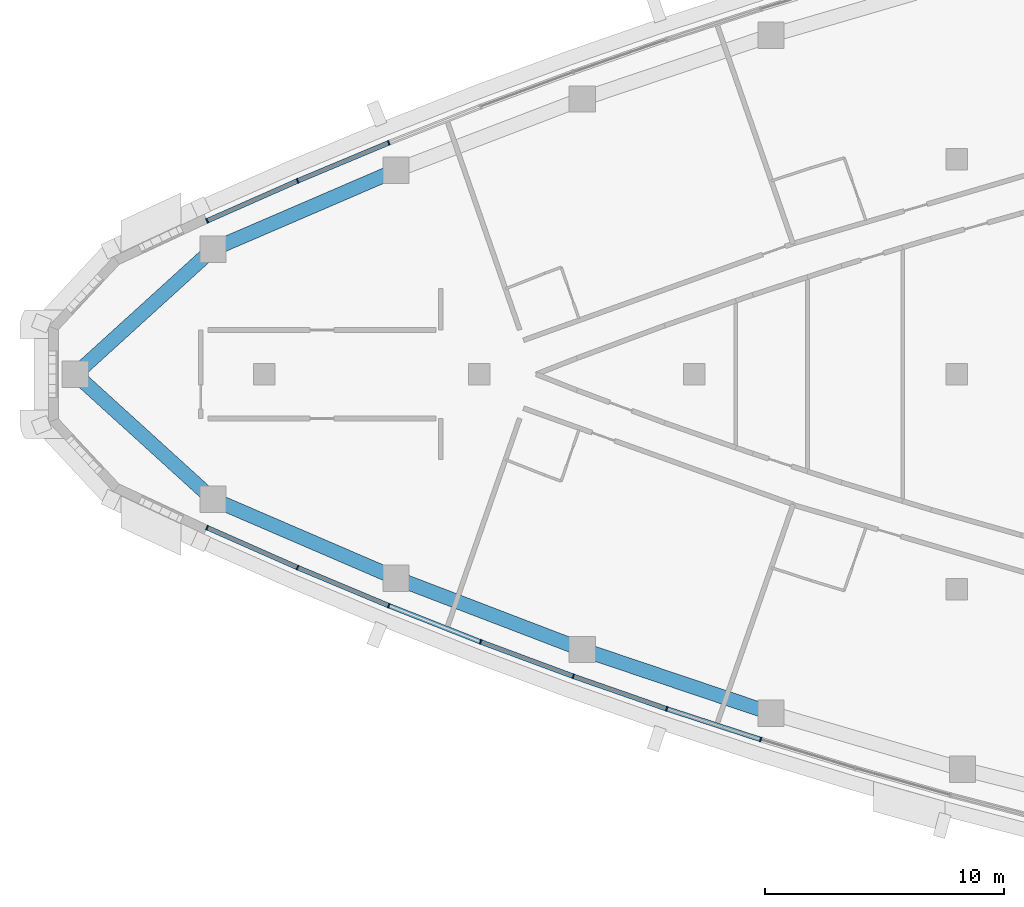
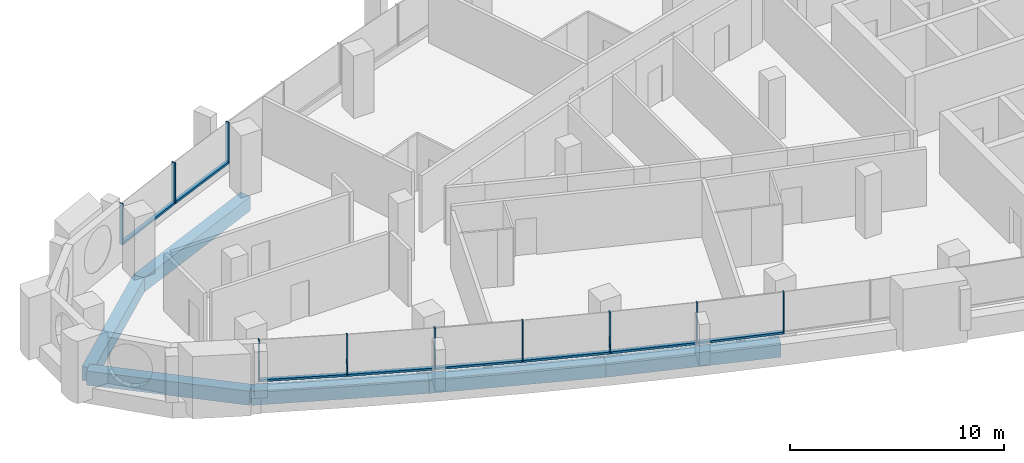
# One storey, part 2 of 14: 18 members, 6 beams, 5 elements without a shape of their own.
"""IFC4 building model written with IfcOpenShell, lengths in metres."""

from ifc_helpers import new_model, si_unit, direction, frame, origin, origin_2d, place, context, subcontext, project, spatial, rectangle, extrude, material, layer, layer_set, material_profile, profile_set, type_object, element, aggregate, save


model = new_model("IFC4")

# Units and contexts
model_context = context("Model", 3, precision=1e-05, world=origin(), true_north=direction((0.0, 1.0)))
body_context = subcontext(model_context, "Body", "Model", "MODEL_VIEW")
ifc_project = project(units=[si_unit("LENGTHUNIT", "METRE"), si_unit("AREAUNIT", "SQUARE_METRE"), si_unit("VOLUMEUNIT", "CUBIC_METRE"), si_unit("PLANEANGLEUNIT", "RADIAN"), si_unit("MASSUNIT", "GRAM", prefix="KILO")], contexts=[model_context])

# Site, building, storey
site_placement = place(None, origin())
site = spatial("IfcSite", under=ifc_project, at=site_placement, CompositionType="ELEMENT")
building_placement = place(site_placement, origin())
building = spatial("IfcBuilding", under=site, at=building_placement, Name="Ostrand Prow Hotel Tower", CompositionType="ELEMENT")
storey_placement = place(building_placement, frame((0.0, 0.0, 275.0)))
storey = spatial("IfcBuildingStorey", under=building, at=storey_placement, Name="L69", CompositionType="ELEMENT", Elevation=275.0)

# Beams
ifc_material_1 = material(Name="Concrete C50/60", Category="concrete")
ifc_material_profile_1 = material_profile(ifc_material_1, rectangle(XDim=0.60009765625, YDim=0.800048828125, at=origin_2d()), Name="RC 600x800")
ifc_profile_set_1 = profile_set([ifc_material_profile_1], Name="Concrete C50/60")
beam_type = type_object("IfcBeamType", Name="Edge beam 600x800 C50/60", PredefinedType="SPANDREL", material=ifc_profile_set_1)
beam_1_placement = place(storey_placement, frame((8.082763671875, 0.0, -0.699951171875), z_axis=(0.740124460758, -0.672469912032, 0.0), x_axis=(0.672469912032, 0.740124460758, 0.0)))
element("IfcBeam", 1, at=beam_1_placement, inside=storey, type_object=beam_type, Name="Edge beam P-S1", PredefinedType="SPANDREL", context=body_context, shape_type="SweptSolid", body=[
    extrude(rectangle(XDim=0.60009765625, YDim=0.800048828125, at=origin_2d()), origin(), (0.0, 0.0, 1.0), 7.787353515625),
])
for number, where, z_axis, x_axis, name in (
    (2, (13.846435546875, -5.23681640625, -0.699951171875), (0.918403788687, -0.39564438695, 0.0), (0.39564438695, 0.918403788687, 0.0), "Edge beam S1-S2"),
    (3, (21.51416015625, -8.5400390625, -0.699951171875), (0.933761753797, -0.357895218111, 0.0), (0.357895218111, 0.933761753797, 0.0), "Edge beam S2-S3"),
    (4, (29.31005859375, -11.528076171875, -0.699951171875), (0.947575089419, -0.319533174981, 0.0), (0.319533174981, 0.947575089419, 0.0), "Edge beam S3-S4"),
    (5, (21.51416015625, 8.5400390625, -0.699951171875), (-0.918403788687, -0.39564438695, 0.0), (0.39564438695, -0.918403788687, 0.0), "Edge beam N5-N6"),
):
    element("IfcBeam", number, at=place(storey_placement, frame(where, z_axis=z_axis, x_axis=x_axis)), inside=storey, type_object=beam_type, Name=name, PredefinedType="SPANDREL", context=body_context, shape_type="SweptSolid", body=[
        extrude(rectangle(XDim=0.60009765625, YDim=0.800048828125, at=origin_2d()), origin(), (0.0, 0.0, 1.0), 8.348876953125),
    ])
beam_2_placement = place(storey_placement, frame((13.846435546875, 5.23681640625, -0.699951171875), z_axis=(-0.740124460758, -0.672469912032, 0.0), x_axis=(0.672469912032, -0.740124460758, 0.0)))
element("IfcBeam", 6, at=beam_2_placement, inside=storey, type_object=beam_type, Name="Edge beam N6-P", PredefinedType="SPANDREL", context=body_context, shape_type="SweptSolid", body=[
    extrude(rectangle(XDim=0.60009765625, YDim=0.800048828125, at=origin_2d()), origin(), (0.0, 0.0, 1.0), 7.787353515625),
])

# Curtain wall, members
ifc_material_2 = material(Name="Insulated glass in bronze anodised frame", Category="glass")
ifc_layer = layer(ifc_material_2, 0.199951171875)
ifc_layer_set = layer_set([ifc_layer], Name="Insulated glass in bronze anodised frame")
curtain_wall_type = type_object("IfcCurtainWallType", Name="Strip curtain wall, fritted glass over bronze spandrel", PredefinedType="NOTDEFINED", material=ifc_layer_set)
curtain_wall_1_placement = place(storey_placement, origin())
curtain_wall_1 = element("IfcCurtainWall", 7, at=curtain_wall_1_placement, inside=storey, type_object=curtain_wall_type, Name="CW1 run CWS1", PredefinedType="NOTDEFINED")
ifc_material_3 = material(Name="Bronze anodised aluminium", Category="aluminium")
ifc_material_profile_2 = material_profile(ifc_material_3, rectangle(XDim=0.199951171875, YDim=0.06005859375, at=origin_2d()), Name="Mullion 60x200 bronze anodised aluminium")
ifc_profile_set_2 = profile_set([ifc_material_profile_2], Name="Bronze anodised aluminium")
member_type_1 = type_object("IfcMemberType", Name="Mullion 60x200 bronze anodised aluminium", PredefinedType="MULLION", material=ifc_profile_set_2)
member_1_placement = place(storey_placement, frame((13.60009765625, -6.423583984375, 0.89990234375), z_axis=(0.0, 0.0, 1.0), x_axis=(0.403939694592, 0.914785615941, 0.0)))
member_1 = element("IfcMember", 8, at=member_1_placement, type_object=member_type_1, Name="CW1 mullion 1", PredefinedType="MULLION", context=body_context, shape_type="SweptSolid", body=[
    extrude(rectangle(XDim=0.199951171875, YDim=0.06005859375, at=origin_2d()), origin(), (0.0, 0.0, 1.0), 2.35009765625),
])
member_2_placement = place(storey_placement, frame((17.386962890625, -8.095947265625, 0.89990234375), z_axis=(0.0, 0.0, 1.0), x_axis=(0.385471263659, 0.922719840955, 0.0)))
member_2 = element("IfcMember", 9, at=member_2_placement, type_object=member_type_1, Name="CW1 mullion 2", PredefinedType="MULLION", context=body_context, shape_type="SweptSolid", body=[
    extrude(rectangle(XDim=0.199951171875, YDim=0.06005859375, at=origin_2d()), origin(), (0.0, 0.0, 1.0), 2.35009765625),
])
member_3_placement = place(storey_placement, frame((21.206787109375, -9.691650390625, 0.89990234375), z_axis=(0.0, 0.0, 1.0), x_axis=(0.385471263659, 0.922719840955, 0.0)))
member_3 = element("IfcMember", 10, at=member_3_placement, type_object=member_type_1, Name="CW1 mullion 3", PredefinedType="MULLION", context=body_context, shape_type="SweptSolid", body=[
    extrude(rectangle(XDim=0.199951171875, YDim=0.06005859375, at=origin_2d()), origin(), (0.0, 0.0, 1.0), 2.35009765625),
])

curtain_wall_2_placement = place(storey_placement, origin())
curtain_wall_2 = element("IfcCurtainWall", 11, at=curtain_wall_2_placement, inside=storey, type_object=curtain_wall_type, Name="CW1 run CWS2", PredefinedType="NOTDEFINED")
member_4_placement = place(storey_placement, frame((25.05810546875, -11.210205078125, 0.89990234375), z_axis=(0.0, 0.0, 1.0), x_axis=(0.348071422738, 0.937468017947, 0.0)))
member_4 = element("IfcMember", 12, at=member_4_placement, type_object=member_type_1, Name="CW1 mullion 2", PredefinedType="MULLION", context=body_context, shape_type="SweptSolid", body=[
    extrude(rectangle(XDim=0.199951171875, YDim=0.06005859375, at=origin_2d()), origin(), (0.0, 0.0, 1.0), 2.35009765625),
])
member_5_placement = place(storey_placement, frame((28.93896484375, -12.6513671875, 0.89990234375), z_axis=(0.0, 0.0, 1.0), x_axis=(0.348071422738, 0.937468017947, 0.0)))
member_5 = element("IfcMember", 13, at=member_5_placement, type_object=member_type_1, Name="CW1 mullion 3", PredefinedType="MULLION", context=body_context, shape_type="SweptSolid", body=[
    extrude(rectangle(XDim=0.199951171875, YDim=0.06005859375, at=origin_2d()), origin(), (0.0, 0.0, 1.0), 2.35009765625),
])

curtain_wall_3_placement = place(storey_placement, origin())
curtain_wall_3 = element("IfcCurtainWall", 14, at=curtain_wall_3_placement, inside=storey, type_object=curtain_wall_type, Name="CW1 run CWS3", PredefinedType="NOTDEFINED")
member_6_placement = place(storey_placement, frame((32.84814453125, -14.013916015625, 0.89990234375), z_axis=(0.0, 0.0, 1.0), x_axis=(0.310110668289, 0.950700464612, 0.0)))
member_6 = element("IfcMember", 15, at=member_6_placement, type_object=member_type_1, Name="CW1 mullion 2", PredefinedType="MULLION", context=body_context, shape_type="SweptSolid", body=[
    extrude(rectangle(XDim=0.199951171875, YDim=0.06005859375, at=origin_2d()), origin(), (0.0, 0.0, 1.0), 2.35009765625),
])
member_7_placement = place(storey_placement, frame((36.78369140625, -15.297607421875, 0.89990234375), z_axis=(0.0, 0.0, 1.0), x_axis=(0.310110668289, 0.950700464612, 0.0)))
member_7 = element("IfcMember", 16, at=member_7_placement, type_object=member_type_1, Name="CW1 mullion 3", PredefinedType="MULLION", context=body_context, shape_type="SweptSolid", body=[
    extrude(rectangle(XDim=0.199951171875, YDim=0.06005859375, at=origin_2d()), origin(), (0.0, 0.0, 1.0), 2.35009765625),
])

# Curtain wall, member
curtain_wall_4_placement = place(storey_placement, origin())
curtain_wall_4 = element("IfcCurtainWall", 17, at=curtain_wall_4_placement, inside=storey, type_object=curtain_wall_type, Name="CW1 run CWN4", PredefinedType="NOTDEFINED")
member_8_placement = place(storey_placement, frame((21.206787109375, 9.691650390625, 0.89990234375), z_axis=(0.0, 0.0, 1.0), x_axis=(0.366845465248, -0.930281895249, 0.0)))
member_8 = element("IfcMember", 18, at=member_8_placement, type_object=member_type_1, Name="CW1 mullion 3", PredefinedType="MULLION", context=body_context, shape_type="SweptSolid", body=[
    extrude(rectangle(XDim=0.199951171875, YDim=0.06005859375, at=origin_2d()), origin(), (0.0, 0.0, 1.0), 2.35009765625),
])
aggregate(curtain_wall_4, [member_8])

# Curtain wall, members
curtain_wall_5_placement = place(storey_placement, origin())
curtain_wall_5 = element("IfcCurtainWall", 19, at=curtain_wall_5_placement, inside=storey, type_object=curtain_wall_type, Name="CW1 run CWN5", PredefinedType="NOTDEFINED")
member_9_placement = place(storey_placement, frame((17.386962890625, 8.095947265625, 0.89990234375), z_axis=(0.0, 0.0, 1.0), x_axis=(0.403939694592, -0.914785615941, 0.0)))
member_9 = element("IfcMember", 20, at=member_9_placement, type_object=member_type_1, Name="CW1 mullion 2", PredefinedType="MULLION", context=body_context, shape_type="SweptSolid", body=[
    extrude(rectangle(XDim=0.199951171875, YDim=0.06005859375, at=origin_2d()), origin(), (0.0, 0.0, 1.0), 2.35009765625),
])
member_10_placement = place(storey_placement, frame((13.60009765625, 6.423583984375, 0.89990234375), z_axis=(0.0, 0.0, 1.0), x_axis=(0.403939694592, -0.914785615941, 0.0)))
member_10 = element("IfcMember", 21, at=member_10_placement, type_object=member_type_1, Name="CW1 mullion 3", PredefinedType="MULLION", context=body_context, shape_type="SweptSolid", body=[
    extrude(rectangle(XDim=0.199951171875, YDim=0.06005859375, at=origin_2d()), origin(), (0.0, 0.0, 1.0), 2.35009765625),
])

# Member
ifc_material_4 = material(Name="Bronze anodised aluminium", Category="aluminium")
ifc_material_profile_3 = material_profile(ifc_material_4, rectangle(XDim=0.199951171875, YDim=0.1201171875, at=origin_2d()), Name="Transom 120x200 bronze anodised aluminium")
ifc_profile_set_3 = profile_set([ifc_material_profile_3], Name="Bronze anodised aluminium")
member_type_2 = type_object("IfcMemberType", Name="Transom 120x200 bronze anodised aluminium", PredefinedType="USERDEFINED", material=ifc_profile_set_3)
member_11_placement = place(storey_placement, frame((13.62744140625, -6.435791015625, 0.9599609375), z_axis=(0.914791011182, -0.403927475991, 0.0), x_axis=(0.403927475991, 0.914791011182, 0.0)))
member_11 = element("IfcMember", 22, at=member_11_placement, type_object=member_type_2, Name="CW1 transom 1.1", ObjectType="TRANSOM", PredefinedType="USERDEFINED", context=body_context, shape_type="SweptSolid", body=[
    extrude(rectangle(XDim=0.199951171875, YDim=0.1201171875, at=origin_2d()), origin(), (0.0, 0.0, 1.0), 4.079833984375),
])

member_12_placement = place(storey_placement, frame((17.414794921875, -8.107421875, 0.9599609375), z_axis=(0.922706465875, -0.385503278628, 0.0), x_axis=(0.385503278628, 0.922706465875, 0.0)))
member_12 = element("IfcMember", 23, at=member_12_placement, type_object=member_type_2, Name="CW1 transom 2.1", ObjectType="TRANSOM", PredefinedType="USERDEFINED", context=body_context, shape_type="SweptSolid", body=[
    extrude(rectangle(XDim=0.199951171875, YDim=0.1201171875, at=origin_2d()), origin(), (0.0, 0.0, 1.0), 4.079833984375),
])

aggregate(curtain_wall_1, [member_1, member_2, member_3, member_11, member_12])

member_13_placement = place(storey_placement, frame((21.23486328125, -9.70263671875, 0.9599609375), z_axis=(0.930289613186, -0.366825892759, 0.0), x_axis=(0.366825892759, 0.930289613186, 0.0)))
member_13 = element("IfcMember", 24, at=member_13_placement, type_object=member_type_2, Name="CW1 transom 1.1", ObjectType="TRANSOM", PredefinedType="USERDEFINED", context=body_context, shape_type="SweptSolid", body=[
    extrude(rectangle(XDim=0.199951171875, YDim=0.1201171875, at=origin_2d()), origin(), (0.0, 0.0, 1.0), 4.079833984375),
])

member_14_placement = place(storey_placement, frame((25.086181640625, -11.220703125, 0.9599609375), z_axis=(0.937460424566, -0.348091873465, 0.0), x_axis=(0.348091873465, 0.937460424566, 0.0)))
member_14 = element("IfcMember", 25, at=member_14_placement, type_object=member_type_2, Name="CW1 transom 2.1", ObjectType="TRANSOM", PredefinedType="USERDEFINED", context=body_context, shape_type="SweptSolid", body=[
    extrude(rectangle(XDim=0.199951171875, YDim=0.1201171875, at=origin_2d()), origin(), (0.0, 0.0, 1.0), 4.079833984375),
])

aggregate(curtain_wall_2, [member_4, member_5, member_13, member_14])

member_15_placement = place(storey_placement, frame((28.96728515625, -12.6611328125, 0.9599609375), z_axis=(0.944268108385, -0.329177367822, 0.0), x_axis=(0.329177367822, 0.944268108385, 0.0)))
member_15 = element("IfcMember", 26, at=member_15_placement, type_object=member_type_2, Name="CW1 transom 1.1", ObjectType="TRANSOM", PredefinedType="USERDEFINED", context=body_context, shape_type="SweptSolid", body=[
    extrude(rectangle(XDim=0.199951171875, YDim=0.1201171875, at=origin_2d()), origin(), (0.0, 0.0, 1.0), 4.079833984375),
])

member_16_placement = place(storey_placement, frame((32.876708984375, -14.023193359375, 0.9599609375), z_axis=(0.950704145978, -0.310099382165, 0.0), x_axis=(0.310099382165, 0.950704145978, 0.0)))
member_16 = element("IfcMember", 27, at=member_16_placement, type_object=member_type_2, Name="CW1 transom 2.1", ObjectType="TRANSOM", PredefinedType="USERDEFINED", context=body_context, shape_type="SweptSolid", body=[
    extrude(rectangle(XDim=0.199951171875, YDim=0.1201171875, at=origin_2d()), origin(), (0.0, 0.0, 1.0), 4.079833984375),
])

aggregate(curtain_wall_3, [member_6, member_7, member_15, member_16])

member_17_placement = place(storey_placement, frame((21.17919921875, 9.68017578125, 0.9599609375), z_axis=(-0.922706465875, -0.385503278628, 0.0), x_axis=(0.385503278628, -0.922706465875, 0.0)))
member_17 = element("IfcMember", 28, at=member_17_placement, type_object=member_type_2, Name="CW1 transom 1.1", ObjectType="TRANSOM", PredefinedType="USERDEFINED", context=body_context, shape_type="SweptSolid", body=[
    extrude(rectangle(XDim=0.199951171875, YDim=0.1201171875, at=origin_2d()), origin(), (0.0, 0.0, 1.0), 4.079833984375),
])

member_18_placement = place(storey_placement, frame((17.359619140625, 8.083740234375, 0.9599609375), z_axis=(-0.914791011182, -0.403927475991, 0.0), x_axis=(0.403927475991, -0.914791011182, 0.0)))
member_18 = element("IfcMember", 29, at=member_18_placement, type_object=member_type_2, Name="CW1 transom 2.1", ObjectType="TRANSOM", PredefinedType="USERDEFINED", context=body_context, shape_type="SweptSolid", body=[
    extrude(rectangle(XDim=0.199951171875, YDim=0.1201171875, at=origin_2d()), origin(), (0.0, 0.0, 1.0), 4.079833984375),
])

aggregate(curtain_wall_5, [member_9, member_10, member_17, member_18])

save(model, "model.ifc")
